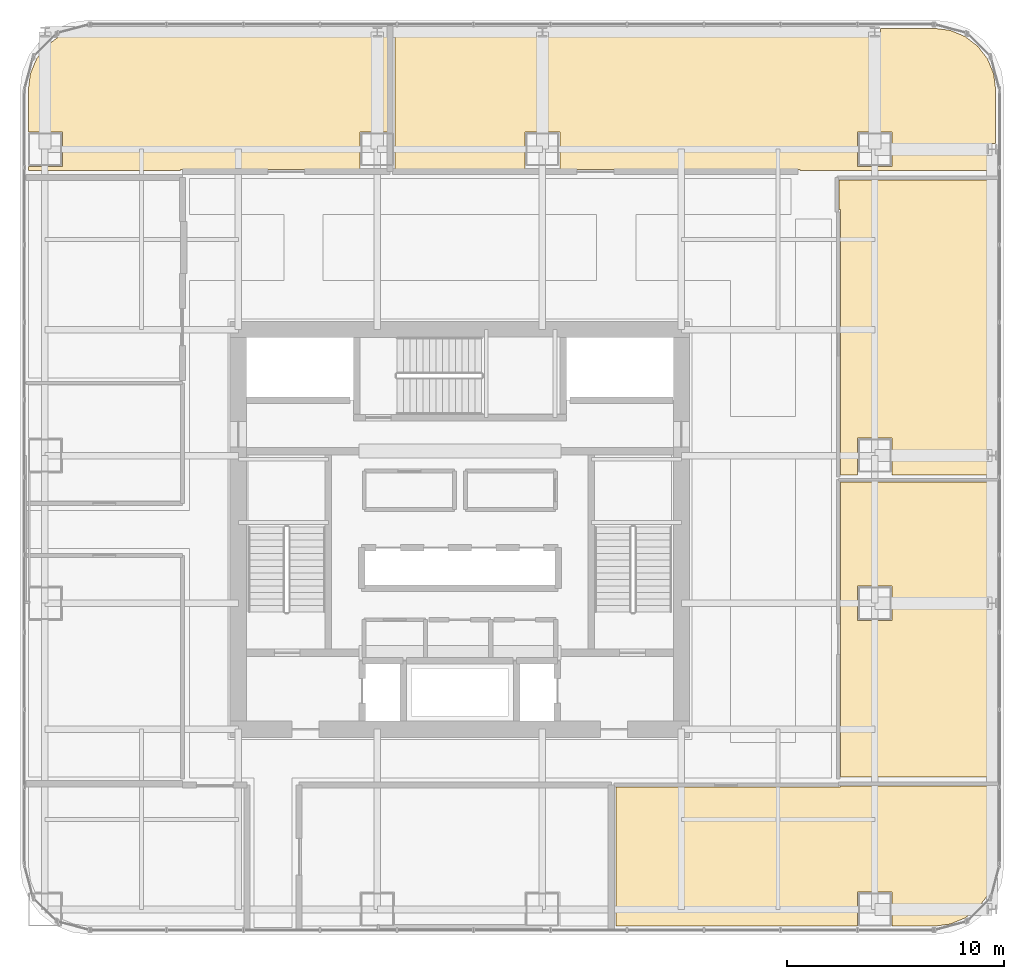
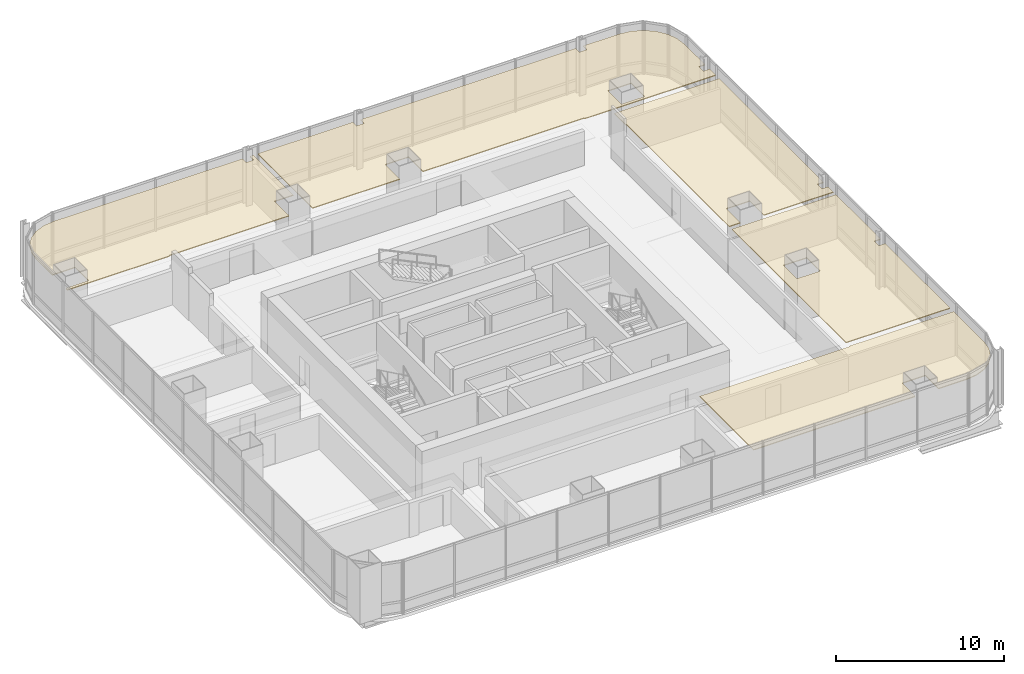
# One storey, part 34 of 34: 5 coverings.
"""IFC4 building model written with IfcOpenShell, lengths in metres."""

from ifc_helpers import new_model, si_unit, direction, frame, origin, place, context, subcontext, project, spatial, polyline, outline, extrude, material, layer, layer_set, type_object, element, save


model = new_model("IFC4")

# Units and contexts
model_context = context("Model", 3, precision=1e-05, world=origin(), true_north=direction((0.0, 1.0)))
body_context = subcontext(model_context, "Body", "Model", "MODEL_VIEW")
ifc_project = project(units=[si_unit("LENGTHUNIT", "METRE"), si_unit("AREAUNIT", "SQUARE_METRE"), si_unit("VOLUMEUNIT", "CUBIC_METRE"), si_unit("PLANEANGLEUNIT", "RADIAN"), si_unit("MASSUNIT", "GRAM", prefix="KILO")], contexts=[model_context])

# Site, building, storey
site_placement = place(None, origin())
site = spatial("IfcSite", under=ifc_project, at=site_placement, CompositionType="ELEMENT")
building_placement = place(site_placement, origin())
building = spatial("IfcBuilding", under=site, at=building_placement, Name="Punatoya Terracotta Tower", CompositionType="ELEMENT")
storey_placement = place(building_placement, frame((0.0, 0.0, 105.14990234375)))
storey = spatial("IfcBuildingStorey", under=building, at=storey_placement, Name="L24", CompositionType="ELEMENT", Elevation=105.14990234375)

# Coverings
ifc_material = material(Name="Acoustic Mineral Fibre Ceiling")
ifc_layer = layer(ifc_material, 0.06005859375)
ifc_layer_set = layer_set([ifc_layer], Name="Acoustic Mineral Fibre Ceiling")
covering_type = type_object("IfcCoveringType", Name="COV-CEIL-60", PredefinedType="CEILING", material=ifc_layer_set)
covering_1_placement = place(storey_placement, frame((0.0, 0.0, 3.2001953125)))
element("IfcCovering", 1, at=covering_1_placement, inside=storey, type_object=covering_type, Name="L24 Open-Plan Catering Tea Pantry Acoustic Ceiling", PredefinedType="CEILING", context=body_context, shape_type="SweptSolid", body=[
    extrude(outline(polyline([(17.52001953125, -11.8701171875), (7.18994140625, -11.8701171875), (7.18994140625, -18.27001953125), (18.300048828125, -18.27001953125), (18.300048828125, -16.699951171875), (19.89990234375, -16.699951171875), (19.89990234375, -18.27001953125), (21.8251953125, -18.27001953125), (22.5791015625, -18.1708984375), (23.25830078125, -17.889404296875), (23.841796875, -17.441650390625), (24.289306640625, -16.8583984375), (24.57080078125, -16.178955078125), (24.669921875, -15.425048828125), (24.669921875, -11.81005859375), (17.52001953125, -11.81005859375), (17.52001953125, -11.8701171875)])), origin(), (0.0, 0.0, 1.0), 0.059814453125),
])
covering_2_placement = place(storey_placement, frame((0.0, 0.0, 3.2001953125)))
element("IfcCovering", 2, at=covering_2_placement, inside=storey, type_object=covering_type, Name="L24 Open-Plan Private Dining Boardroom Acoustic Ceiling", PredefinedType="CEILING", context=body_context, shape_type="SweptSolid", body=[
    extrude(outline(polyline([(24.669921875, -3.126953125), (24.669921875, 2.18994140625), (17.52001953125, 2.18994140625), (17.52001953125, -11.389892578125), (24.669921875, -11.389892578125), (24.669921875, -3.673095703125), (24.241943359375, -3.673095703125), (24.241943359375, -3.126953125), (24.669921875, -3.126953125)]), holes=[polyline([(18.300048828125, -4.199951171875), (18.300048828125, -2.60009765625), (19.89990234375, -2.60009765625), (19.89990234375, -4.199951171875), (18.300048828125, -4.199951171875)])]), origin(), (0.0, 0.0, 1.0), 0.059814453125),
])
covering_3_placement = place(storey_placement, frame((0.0, 0.0, 3.2001953125)))
element("IfcCovering", 3, at=covering_3_placement, inside=storey, type_object=covering_type, Name="L24 Open-Plan Barista Espresso Pantry Acoustic Ceiling", PredefinedType="CEILING", context=body_context, shape_type="SweptSolid", body=[
    extrude(outline(polyline([(17.4599609375, 14.719970703125), (17.52001953125, 14.719970703125), (17.52001953125, 2.510009765625), (18.300048828125, 2.510009765625), (18.300048828125, 4.199951171875), (19.89990234375, 4.199951171875), (19.89990234375, 2.510009765625), (24.669921875, 2.510009765625), (24.669921875, 3.126953125), (24.241943359375, 3.126953125), (24.241943359375, 3.673095703125), (24.669921875, 3.673095703125), (24.669921875, 16.090087890625), (17.4599609375, 16.090087890625), (17.4599609375, 14.719970703125)])), origin(), (0.0, 0.0, 1.0), 0.059814453125),
])
covering_4_placement = place(storey_placement, frame((0.0, 0.0, 3.2001953125)))
element("IfcCovering", 4, at=covering_4_placement, inside=storey, type_object=covering_type, Name="L24 Open-Plan Terrace Refreshment Lounge Acoustic Ceiling", PredefinedType="CEILING", context=body_context, shape_type="SweptSolid", body=[
    extrude(outline(polyline([(-17.779052734375, 22.970703125), (-18.458251953125, 22.689453125), (-19.041748046875, 22.24169921875), (-19.489501953125, 21.658203125), (-19.770751953125, 20.97900390625), (-19.8701171875, 20.22509765625), (-19.8701171875, 18.300048828125), (-18.300048828125, 18.300048828125), (-18.300048828125, 16.699951171875), (-19.8701171875, 16.699951171875), (-19.8701171875, 16.510009765625), (-12.8701171875, 16.510009765625), (-12.8701171875, 16.570068359375), (-4.60009765625, 16.570068359375), (-4.60009765625, 18.300048828125), (-3.31591796875, 18.300048828125), (-3.31591796875, 23.070068359375), (-3.5419921875, 23.070068359375), (-3.5419921875, 22.626953125), (-4.05810546875, 22.626953125), (-4.05810546875, 23.070068359375), (-17.025146484375, 23.070068359375), (-17.779052734375, 22.970703125)])), origin(), (0.0, 0.0, 1.0), 0.059814453125),
])
covering_5_placement = place(storey_placement, frame((0.0, 0.0, 3.2001953125)))
element("IfcCovering", 5, at=covering_5_placement, inside=storey, type_object=covering_type, Name="L24 Hospitality Hosting Lounge Acoustic Ceiling", PredefinedType="CEILING", context=body_context, shape_type="SweptSolid", body=[
    extrude(outline(polyline([(3.0, 16.570068359375), (3.0, 18.300048828125), (4.60009765625, 18.300048828125), (4.60009765625, 16.570068359375), (15.669921875, 16.570068359375), (15.669921875, 16.510009765625), (24.669921875, 16.510009765625), (24.669921875, 17.22705078125), (24.241943359375, 17.22705078125), (24.241943359375, 17.77294921875), (24.669921875, 17.77294921875), (24.669921875, 20.22509765625), (24.57080078125, 20.97900390625), (24.289306640625, 21.658203125), (23.841796875, 22.24169921875), (23.25830078125, 22.689453125), (22.5791015625, 22.970703125), (21.8251953125, 23.070068359375), (19.35791015625, 23.070068359375), (19.35791015625, 22.626953125), (18.842041015625, 22.626953125), (18.842041015625, 23.070068359375), (4.05810546875, 23.070068359375), (4.05810546875, 22.626953125), (3.5419921875, 22.626953125), (3.5419921875, 23.070068359375), (-2.99609375, 23.070068359375), (-2.99609375, 16.570068359375), (3.0, 16.570068359375)]), holes=[polyline([(19.89990234375, 18.300048828125), (19.89990234375, 16.699951171875), (18.300048828125, 16.699951171875), (18.300048828125, 18.300048828125), (19.89990234375, 18.300048828125)])]), origin(), (0.0, 0.0, 1.0), 0.059814453125),
])

save(model, "model.ifc")
